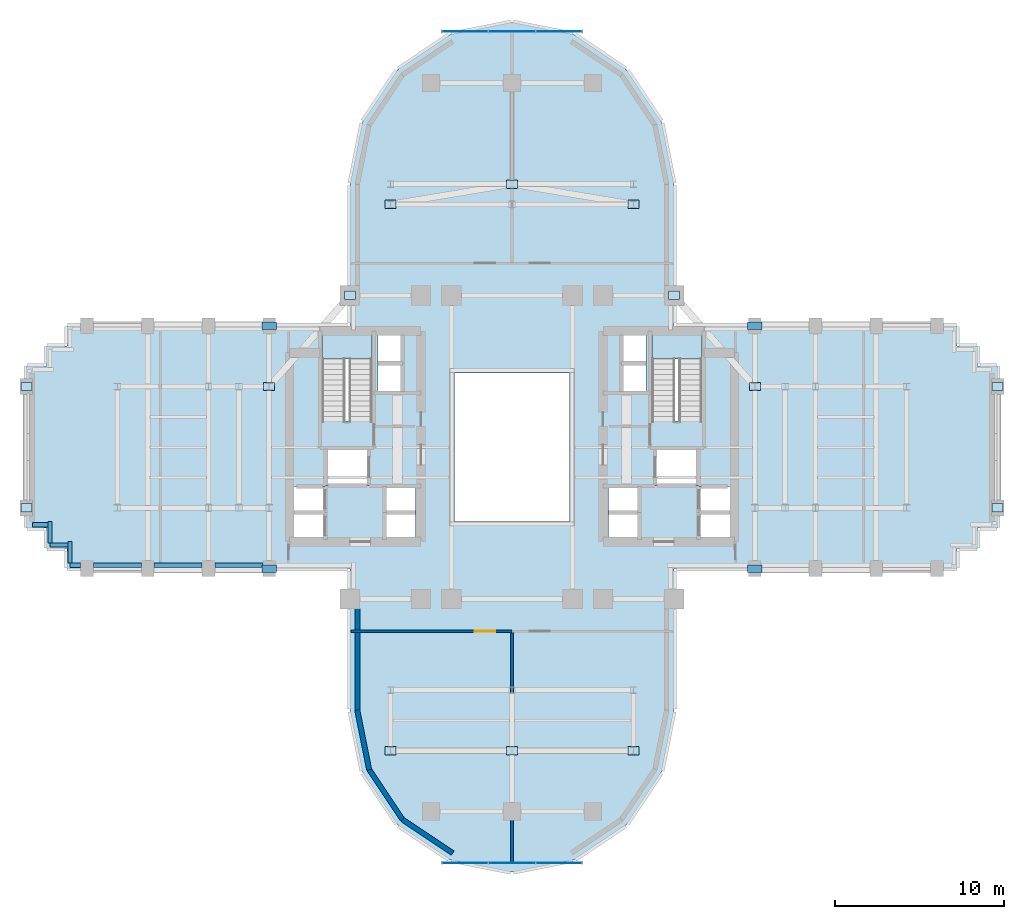
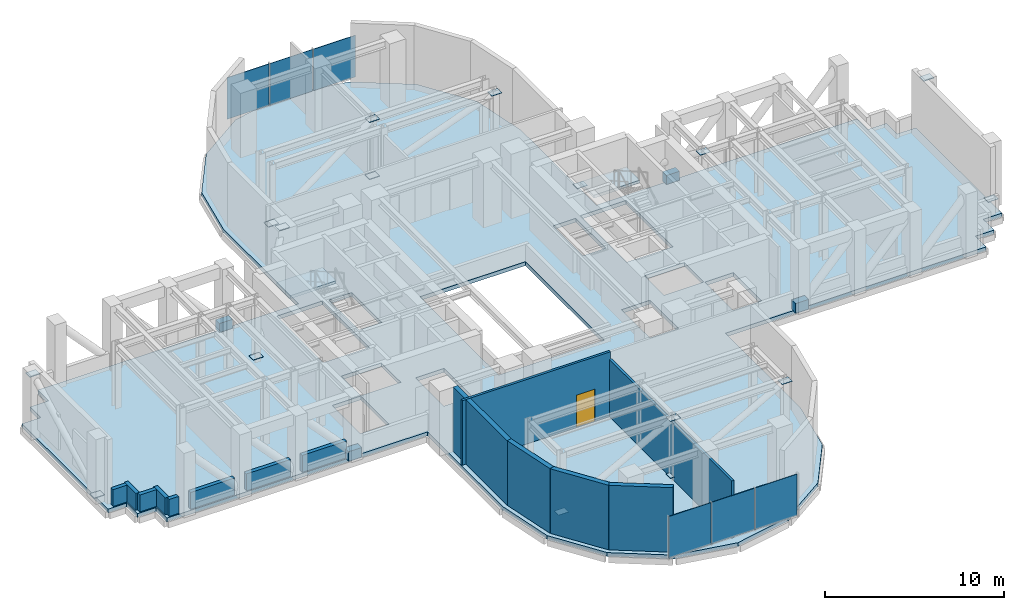
# One storey, part 8 of 15: 26 plates, 14 walls, 3 slabs, 1 door, 1 opening, 4 elements without a shape of their own.
"""IFC4 building model written with IfcOpenShell, lengths in metres."""

from ifc_helpers import new_model, si_unit, direction, frame, frame_2d, origin, origin_2d, place, context, subcontext, project, spatial, polyline, rectangle, outline, extrude, source, transform, mapped, material, layer, layer_set, type_object, element, fill, aggregate, save


model = new_model("IFC4")

# Units and contexts
model_context = context("Model", 3, precision=1e-05, world=origin(), true_north=direction((0.0, 1.0)))
body_context = subcontext(model_context, "Body", "Model", "MODEL_VIEW")
ifc_project = project(units=[si_unit("LENGTHUNIT", "METRE"), si_unit("AREAUNIT", "SQUARE_METRE"), si_unit("VOLUMEUNIT", "CUBIC_METRE"), si_unit("PLANEANGLEUNIT", "RADIAN"), si_unit("MASSUNIT", "GRAM", prefix="KILO")], contexts=[model_context])

# Site, building, storey
site_placement = place(None, origin())
site = spatial("IfcSite", under=ifc_project, at=site_placement, CompositionType="ELEMENT")
building_placement = place(site_placement, origin())
building = spatial("IfcBuilding", under=site, at=building_placement, Name="Keilestroom Media Tower", CompositionType="ELEMENT")
storey_placement = place(building_placement, frame((0.0, 0.0, 88.39990234375)))
storey = spatial("IfcBuildingStorey", under=building, at=storey_placement, Name="L23", CompositionType="ELEMENT", Elevation=88.39990234375)

# Slab
ifc_material_1 = material(Name="Concrete C50/60", Category="concrete")
ifc_layer_1 = layer(ifc_material_1, 0.260009765625)
ifc_layer_set_1 = layer_set([ifc_layer_1], Name="Concrete C50/60")
slab_type_1 = type_object("IfcSlabType", Name="Composite-Floor-Slab-260", PredefinedType="FLOOR", material=ifc_layer_set_1)
slab_1_placement = place(storey_placement, frame((0.0, 0.0, -0.260009765625)))
element("IfcSlab", 1, at=slab_1_placement, inside=storey, type_object=slab_type_1, Name="L23 Structural Composite Floor Slab", PredefinedType="FLOOR", context=body_context, shape_type="SweptSolid", body=[
    extrude(outline(polyline([(28.800048828125, -4.800048828125), (28.800048828125, 4.800048828125), (27.60009765625, 4.800048828125), (27.60009765625, 6.0), (26.39990234375, 6.0), (26.39990234375, 7.199951171875), (9.60009765625, 7.199951171875), (9.60009765625, 9.60009765625), (9.60009765625, 15.60009765625), (8.869140625, 19.273681640625), (6.7880859375, 22.38818359375), (3.673828125, 24.46923828125), (0.0, 25.199951171875), (-3.673828125, 24.46923828125), (-6.7880859375, 22.38818359375), (-8.869140625, 19.273681640625), (-9.60009765625, 15.60009765625), (-9.60009765625, 9.60009765625), (-9.60009765625, 7.199951171875), (-26.39990234375, 7.199951171875), (-26.39990234375, 6.0), (-27.60009765625, 6.0), (-27.60009765625, 4.800048828125), (-28.800048828125, 4.800048828125), (-28.800048828125, -4.800048828125), (-27.60009765625, -4.800048828125), (-27.60009765625, -6.0), (-26.39990234375, -6.0), (-26.39990234375, -7.199951171875), (-9.60009765625, -7.199951171875), (-9.60009765625, -9.60009765625), (-9.60009765625, -15.60009765625), (-8.869140625, -19.273681640625), (-6.7880859375, -22.38818359375), (-3.673828125, -24.46923828125), (0.0, -25.199951171875), (3.673828125, -24.46923828125), (6.7880859375, -22.38818359375), (8.869140625, -19.273681640625), (9.60009765625, -15.60009765625), (9.60009765625, -9.60009765625), (9.60009765625, -7.199951171875), (26.39990234375, -7.199951171875), (26.39990234375, -6.0), (27.60009765625, -6.0), (27.60009765625, -4.800048828125), (28.800048828125, -4.800048828125)]), holes=[polyline([(-12.919921875, -5.47998046875), (-12.919921875, -2.320068359375), (-11.080078125, -2.320068359375), (-11.080078125, -5.47998046875), (-12.919921875, -5.47998046875)]), polyline([(-11.260009765625, 1.544921875), (-11.260009765625, 6.760009765625), (-8.300048828125, 6.760009765625), (-8.300048828125, 1.544921875), (-11.260009765625, 1.544921875)]), polyline([(-11.050048828125, -2.280029296875), (-11.050048828125, -0.10009765625), (-8.47998046875, -0.10009765625), (-8.47998046875, -2.280029296875), (-11.050048828125, -2.280029296875)]), polyline([(-7.949951171875, 3.300048828125), (-7.949951171875, 6.64990234375), (-6.47998046875, 6.64990234375), (-6.47998046875, 3.300048828125), (-7.949951171875, 3.300048828125)]), polyline([(-7.56005859375, -5.47998046875), (-7.56005859375, -2.320068359375), (-5.719970703125, -2.320068359375), (-5.719970703125, -5.47998046875), (-7.56005859375, -5.47998046875)]), polyline([(-3.39990234375, -4.39990234375), (-3.39990234375, 4.39990234375), (3.39990234375, 4.39990234375), (3.39990234375, -4.39990234375), (-3.39990234375, -4.39990234375)]), polyline([(5.719970703125, -5.47998046875), (5.719970703125, -2.320068359375), (7.56005859375, -2.320068359375), (7.56005859375, -5.47998046875), (5.719970703125, -5.47998046875)]), polyline([(7.949951171875, 6.64990234375), (7.949951171875, 3.300048828125), (6.47998046875, 3.300048828125), (6.47998046875, 6.64990234375), (7.949951171875, 6.64990234375)]), polyline([(8.300048828125, 6.760009765625), (11.260009765625, 6.760009765625), (11.260009765625, 1.544921875), (8.300048828125, 1.544921875), (8.300048828125, 6.760009765625)]), polyline([(8.47998046875, -2.280029296875), (8.47998046875, -0.10009765625), (11.050048828125, -0.10009765625), (11.050048828125, -2.280029296875), (8.47998046875, -2.280029296875)]), polyline([(12.919921875, -5.47998046875), (11.080078125, -5.47998046875), (11.080078125, -2.320068359375), (12.919921875, -2.320068359375), (12.919921875, -5.47998046875)])]), origin(), (0.0, 0.0, 1.0), 0.260009765625),
])

# Stair, slab
ifc_material_2 = material(Name="Concrete C45/55", Category="concrete")
stair_type = type_object("IfcStairType", Name="Enclosed-Dog-Leg-Stair-ST-CORE", PredefinedType="HALF_TURN_STAIR", material=ifc_material_2)
stair_1_placement = place(storey_placement, origin())
stair_1 = element("IfcStair", 2, at=stair_1_placement, inside=storey, type_object=stair_type, Name="L23 West Core Escape Stair ST-1", PredefinedType="HALF_TURN_STAIR")
ifc_layer_2 = layer(ifc_material_2, 0.199951171875)
ifc_layer_set_2 = layer_set([ifc_layer_2], Name="Concrete C45/55")
slab_type_2 = type_object("IfcSlabType", Name="Stair-Intermediate-And-Top-Landing-Slab-200", PredefinedType="LANDING", material=ifc_layer_set_2)
slab_2_placement = place(storey_placement, frame((0.0, 0.0, 2.10009765625)))
slab_2 = element("IfcSlab", 3, at=slab_2_placement, type_object=slab_type_2, Name="ST-1 landing 1", PredefinedType="LANDING", context=body_context, shape_type="SweptSolid", body=[
    extrude(outline(polyline([(-8.300048828125, 5.243896484375), (-8.300048828125, 6.760009765625), (-11.260009765625, 6.760009765625), (-11.260009765625, 5.243896484375), (-8.300048828125, 5.243896484375)])), origin(), (0.0, 0.0, 1.0), 0.199951171875),
])
aggregate(stair_1, [slab_2])

stair_2_placement = place(storey_placement, origin())
stair_2 = element("IfcStair", 4, at=stair_2_placement, inside=storey, type_object=stair_type, Name="L23 East Core Escape Stair ST-2", PredefinedType="HALF_TURN_STAIR")
slab_3_placement = place(storey_placement, frame((0.0, 0.0, 2.10009765625)))
slab_3 = element("IfcSlab", 5, at=slab_3_placement, type_object=slab_type_2, Name="ST-2 landing 1", PredefinedType="LANDING", context=body_context, shape_type="SweptSolid", body=[
    extrude(outline(polyline([(11.260009765625, 5.243896484375), (11.260009765625, 6.760009765625), (8.300048828125, 6.760009765625), (8.300048828125, 5.243896484375), (11.260009765625, 5.243896484375)])), origin(), (0.0, 0.0, 1.0), 0.199951171875),
])
aggregate(stair_2, [slab_3])

# Plates
ifc_material_3 = material(Name="Steel S460", Category="steel")
ifc_layer_3 = layer(ifc_material_3, 0.64990234375)
ifc_layer_set_3 = layer_set([ifc_layer_3], Name="Steel S460")
plate_type_1 = type_object("IfcPlateType", Name="Structural-Gusset-And-Cap-Plate-ND-03", PredefinedType="SHEET", material=ifc_layer_set_3)
shared_shape_1 = source(origin(), body_context, "Body", "SweptSolid", [
    extrude(rectangle(XDim=0.85009765625, YDim=0.449951171875, at=origin_2d()), origin(), (0.0, 0.0, 1.0), 0.64990234375),
])
for number, where, z_axis, x_axis, name in (
    (6, (-14.39990234375, -7.199951171875, -0.044921875), (0.0, 0.0, 1.0), (1.0, 0.0, 0.0), "L23 Outrigger Gusset ND-03 WS"),
    (7, (-14.39990234375, 7.199951171875, -0.044921875), (0.0, 0.0, 1.0), (1.0, 0.0, 0.0), "L23 Outrigger Gusset ND-03 WN"),
    (8, (14.39990234375, -7.199951171875, -0.044921875), (0.0, 0.0, 1.0), (1.0, 0.0, 0.0), "L23 Outrigger Gusset ND-03 ES"),
    (9, (14.39990234375, 7.199951171875, -0.044921875), (0.0, 0.0, 1.0), (1.0, 0.0, 0.0), "L23 Outrigger Gusset ND-03 EN"),
):
    element("IfcPlate", number, at=place(storey_placement, frame(where, z_axis=z_axis, x_axis=x_axis)), inside=storey, type_object=plate_type_1, Name=name, PredefinedType="SHEET", context=body_context, shape_type="MappedRepresentation", body=[
        mapped(shared_shape_1, transform((0.0, 0.0, 0.0), x_axis=(1.0, 0.0, 0.0), y_axis=(0.0, 1.0, 0.0), z_axis=(0.0, 0.0, 1.0), scale=1.0)),
    ])
ifc_layer_4 = layer(ifc_material_3, 0.02490234375)
ifc_layer_set_4 = layer_set([ifc_layer_4], Name="Steel S460")
plate_type_2 = type_object("IfcPlateType", Name="Structural-Gusset-And-Cap-Plate-ND-04", PredefinedType="SHEET", material=ifc_layer_set_4)
shared_shape_2 = source(origin(), body_context, "Body", "SweptSolid", [
    extrude(rectangle(XDim=0.659912109375, YDim=0.5, at=origin_2d()), origin(), (0.0, 0.0, 1.0), 0.02490234375),
])
for number, where, z_axis, x_axis, name in (
    (10, (-28.800048828125, -3.60009765625, 0.267578125), (0.0, 0.0, 1.0), (1.0, 0.0, 0.0), "L23 Belt Truss Lower End Cap ND-04 BW1"),
    (11, (-28.800048828125, 3.60009765625, 4.1376953125), (0.0, 0.0, 1.0), (1.0, 0.0, 0.0), "L23 Belt Truss Upper End Cap ND-04 BW1"),
    (12, (28.800048828125, -3.60009765625, 0.267578125), (0.0, 0.0, 1.0), (1.0, 0.0, 0.0), "L23 Belt Truss Lower End Cap ND-04 BE1"),
    (13, (28.800048828125, 3.60009765625, 4.1376953125), (0.0, 0.0, 1.0), (1.0, 0.0, 0.0), "L23 Belt Truss Upper End Cap ND-04 BE1"),
    (14, (-7.199951171875, 14.39990234375, 0.267578125), (0.0, 0.0, 1.0), (1.0, 0.0, 0.0), "L23 Belt Truss Lower End Cap ND-04 BN1"),
    (15, (0.0, 15.60009765625, 4.1376953125), (0.0, 0.0, 1.0), (1.0, 0.0, 0.0), "L23 Belt Truss Upper End Cap ND-04 BN1"),
    (16, (0.0, 15.60009765625, 0.267578125), (0.0, 0.0, 1.0), (1.0, 0.0, 0.0), "L23 Belt Truss Lower End Cap ND-04 BN2"),
    (17, (7.199951171875, 14.39990234375, 4.1376953125), (0.0, 0.0, 1.0), (1.0, 0.0, 0.0), "L23 Belt Truss Upper End Cap ND-04 BN2"),
    (18, (-7.199951171875, -18.0, 0.267578125), (0.0, 0.0, 1.0), (1.0, 0.0, 0.0), "L23 Belt Truss Lower End Cap ND-04 BS1"),
    (19, (0.0, -18.0, 4.1376953125), (0.0, 0.0, 1.0), (1.0, 0.0, 0.0), "L23 Belt Truss Upper End Cap ND-04 BS1"),
    (20, (0.0, -18.0, 0.267578125), (0.0, 0.0, 1.0), (1.0, 0.0, 0.0), "L23 Belt Truss Lower End Cap ND-04 BS2"),
    (21, (7.199951171875, -18.0, 4.1376953125), (0.0, 0.0, 1.0), (1.0, 0.0, 0.0), "L23 Belt Truss Upper End Cap ND-04 BS2"),
    (22, (-14.39990234375, 3.60009765625, 0.267578125), (0.0, 0.0, 1.0), (1.0, 0.0, 0.0), "L23 Belt Truss Lower End Cap ND-04 BWN"),
    (23, (-9.60009765625, 9.0, 4.1376953125), (0.0, 0.0, 1.0), (1.0, 0.0, 0.0), "L23 Belt Truss Upper End Cap ND-04 BWN"),
    (24, (9.60009765625, 9.0, 0.267578125), (0.0, 0.0, 1.0), (1.0, 0.0, 0.0), "L23 Belt Truss Lower End Cap ND-04 BEN"),
    (25, (14.39990234375, 3.60009765625, 4.1376953125), (0.0, 0.0, 1.0), (1.0, 0.0, 0.0), "L23 Belt Truss Upper End Cap ND-04 BEN"),
):
    element("IfcPlate", number, at=place(storey_placement, frame(where, z_axis=z_axis, x_axis=x_axis)), inside=storey, type_object=plate_type_2, Name=name, PredefinedType="SHEET", context=body_context, shape_type="MappedRepresentation", body=[
        mapped(shared_shape_2, transform((0.0, 0.0, 0.0), x_axis=(1.0, 0.0, 0.0), y_axis=(0.0, 1.0, 0.0), z_axis=(0.0, 0.0, 1.0), scale=1.0)),
    ])

# Curtain wall, plates
ifc_material_4 = material(Name="Anodised Aluminium Alloy", Category="aluminium")
curtain_wall_type = type_object("IfcCurtainWallType", Name="Unitised-Curtain-Wall-CW-6", PredefinedType="NOTDEFINED", material=ifc_material_4)
curtain_wall_1_placement = place(storey_placement, origin())
curtain_wall_1 = element("IfcCurtainWall", 26, at=curtain_wall_1_placement, inside=storey, type_object=curtain_wall_type, Name="L23 Curtain Wall CW-6 CW-L23-N", PredefinedType="NOTDEFINED")
ifc_material_5 = material(Name="Curved-Facet Triple Glazed Unit", Category="glass")
ifc_layer_5 = layer(ifc_material_5, 0.033935546875)
ifc_layer_set_5 = layer_set([ifc_layer_5], Name="Curved-Facet Triple Glazed Unit")
plate_type_3 = type_object("IfcPlateType", Name="Insulated-Curtain-Wall-Glazing-Panel-CW-6", PredefinedType="CURTAIN_PANEL", material=ifc_layer_set_5)
shared_shape_3 = source(origin(), body_context, "Body", "SweptSolid", [
    extrude(rectangle(XDim=2.71044921875, YDim=0.033935546875, at=origin_2d()), origin(), (0.0, 0.0, 1.0), 2.833984375),
])
plate_1_placement = place(storey_placement, frame((-2.78369140625, 24.64990234375, 0.072998046875), z_axis=(0.0, 0.0, 1.0), x_axis=(1.0, 0.0, 0.0)))
plate_1 = element("IfcPlate", 27, at=plate_1_placement, type_object=plate_type_3, Name="CW-6 Unitised Glazing 00", PredefinedType="CURTAIN_PANEL", context=body_context, shape_type="MappedRepresentation", body=[
    mapped(shared_shape_3, transform((0.0, 0.0, 0.0), x_axis=(1.0, 0.0, 0.0), y_axis=(0.0, 1.0, 0.0), z_axis=(0.0, 0.0, 1.0), scale=1.0)),
])
plate_2_placement = place(storey_placement, frame((2.78369140625, 24.64990234375, 0.072998046875), z_axis=(0.0, 0.0, 1.0), x_axis=(1.0, 0.0, 0.0)))
plate_2 = element("IfcPlate", 28, at=plate_2_placement, type_object=plate_type_3, Name="CW-6 Unitised Glazing 02", PredefinedType="CURTAIN_PANEL", context=body_context, shape_type="MappedRepresentation", body=[
    mapped(shared_shape_3, transform((0.0, 0.0, 0.0), x_axis=(1.0, 0.0, 0.0), y_axis=(0.0, 1.0, 0.0), z_axis=(0.0, 0.0, 1.0), scale=1.0)),
])

curtain_wall_2_placement = place(storey_placement, origin())
curtain_wall_2 = element("IfcCurtainWall", 29, at=curtain_wall_2_placement, inside=storey, type_object=curtain_wall_type, Name="L23 Curtain Wall CW-6 CW-L23-S", PredefinedType="NOTDEFINED")
plate_3_placement = place(storey_placement, frame((-2.78369140625, -24.64990234375, 0.072998046875), z_axis=(0.0, 0.0, 1.0), x_axis=(1.0, 0.0, 0.0)))
plate_3 = element("IfcPlate", 30, at=plate_3_placement, type_object=plate_type_3, Name="CW-6 Unitised Glazing 00", PredefinedType="CURTAIN_PANEL", context=body_context, shape_type="MappedRepresentation", body=[
    mapped(shared_shape_3, transform((0.0, 0.0, 0.0), x_axis=(1.0, 0.0, 0.0), y_axis=(0.0, 1.0, 0.0), z_axis=(0.0, 0.0, 1.0), scale=1.0)),
])
plate_4_placement = place(storey_placement, frame((2.78369140625, -24.64990234375, 0.072998046875), z_axis=(0.0, 0.0, 1.0), x_axis=(1.0, 0.0, 0.0)))
plate_4 = element("IfcPlate", 31, at=plate_4_placement, type_object=plate_type_3, Name="CW-6 Unitised Glazing 02", PredefinedType="CURTAIN_PANEL", context=body_context, shape_type="MappedRepresentation", body=[
    mapped(shared_shape_3, transform((0.0, 0.0, 0.0), x_axis=(1.0, 0.0, 0.0), y_axis=(0.0, 1.0, 0.0), z_axis=(0.0, 0.0, 1.0), scale=1.0)),
])

# Plate
shared_shape_4 = source(origin(), body_context, "Body", "SweptSolid", [
    extrude(rectangle(XDim=2.742919921875, YDim=0.033935546875, at=origin_2d()), origin(), (0.0, 0.0, 1.0), 2.833984375),
])
plate_5_placement = place(storey_placement, frame((0.0, 24.64990234375, 0.072998046875), z_axis=(0.0, 0.0, 1.0), x_axis=(1.0, 0.0, 0.0)))
plate_5 = element("IfcPlate", 32, at=plate_5_placement, type_object=plate_type_3, Name="CW-6 Unitised Glazing 01", PredefinedType="CURTAIN_PANEL", context=body_context, shape_type="MappedRepresentation", body=[
    mapped(shared_shape_4, transform((0.0, 0.0, 0.0), x_axis=(1.0, 0.0, 0.0), y_axis=(0.0, 1.0, 0.0), z_axis=(0.0, 0.0, 1.0), scale=1.0)),
])

aggregate(curtain_wall_1, [plate_1, plate_5, plate_2])

plate_6_placement = place(storey_placement, frame((0.0, -24.64990234375, 0.072998046875), z_axis=(0.0, 0.0, 1.0), x_axis=(1.0, 0.0, 0.0)))
plate_6 = element("IfcPlate", 33, at=plate_6_placement, type_object=plate_type_3, Name="CW-6 Unitised Glazing 01", PredefinedType="CURTAIN_PANEL", context=body_context, shape_type="MappedRepresentation", body=[
    mapped(shared_shape_4, transform((0.0, 0.0, 0.0), x_axis=(1.0, 0.0, 0.0), y_axis=(0.0, 1.0, 0.0), z_axis=(0.0, 0.0, 1.0), scale=1.0)),
])

aggregate(curtain_wall_2, [plate_3, plate_6, plate_4])

# Walls
ifc_material_6 = material(Name="Precast concrete C40/50", Category="concrete")
ifc_layer_6 = layer(ifc_material_6, 0.300048828125)
ifc_layer_set_6 = layer_set([ifc_layer_6], Name="Precast concrete C40/50")
wall_type_1 = type_object("IfcWallType", Name="Exterior-Masonry-Spandrel-Wall-300", PredefinedType="SOLIDWALL", material=ifc_layer_set_6)
wall_1_placement = place(storey_placement, frame((-9.171875, -9.568115234375, 0.0), z_axis=(0.0, 0.0, 1.0), x_axis=(0.0, -1.0, 0.0)))
element("IfcWall", 34, at=wall_1_placement, inside=storey, type_object=wall_type_1, Name="L23 Plant Lobe Masonry Wall 09", PredefinedType="SOLIDWALL", context=body_context, shape_type="SweptSolid", body=[
    extrude(rectangle(XDim=6.061767578125, YDim=0.300048828125, at=frame_2d((3.03076171875, 0.0))), origin(), (0.0, 0.0, 1.0), 4.400146484375),
])
for number, where, z_axis, x_axis, name in (
    (35, (-9.1748046875, -15.585205078125, 0.0), (0.0, 0.0, 1.0), (0.195114232679, -0.980780523974, 0.0), "L23 Plant Lobe Masonry Wall 10"),
    (36, (-8.48193359375, -19.097412109375, 0.0), (0.0, 0.0, 1.0), (0.555574187116, -0.831466970246, 0.0), "L23 Plant Lobe Masonry Wall 11"),
):
    element("IfcWall", number, at=place(storey_placement, frame(where, z_axis=z_axis, x_axis=x_axis)), inside=storey, type_object=wall_type_1, Name=name, PredefinedType="SOLIDWALL", context=body_context, shape_type="SweptSolid", body=[
        extrude(rectangle(XDim=3.608642578125, YDim=0.300048828125, at=frame_2d((1.80419921875, 0.0))), origin(), (0.0, 0.0, 1.0), 4.400146484375),
    ])
wall_2_placement = place(storey_placement, frame((-6.497802734375, -22.0771484375, 0.0), z_axis=(0.0, 0.0, 1.0), x_axis=(0.8314749531, -0.555562239868, 0.0)))
element("IfcWall", 37, at=wall_2_placement, inside=storey, type_object=wall_type_1, Name="L23 Plant Lobe Masonry Wall 12", PredefinedType="SOLIDWALL", context=body_context, shape_type="SweptSolid", body=[
    extrude(rectangle(XDim=3.59326171875, YDim=0.300048828125, at=frame_2d((1.796630859375, 0.0))), origin(), (0.0, 0.0, 1.0), 4.400146484375),
])

# Wall, opening, door
ifc_material_7 = material(Name="Gypsum Plasterboard & Steel Stud", Category="steel")
ifc_layer_7 = layer(ifc_material_7, 0.14990234375)
ifc_layer_set_7 = layer_set([ifc_layer_7], Name="Gypsum Plasterboard & Steel Stud")
wall_type_2 = type_object("IfcWallType", Name="Interior-Partition-Wall-150", PredefinedType="PARTITIONING", material=ifc_layer_set_7)
wall_3_placement = place(storey_placement, frame((-9.550048828125, -10.919921875, 0.0), z_axis=(0.0, 0.0, 1.0), x_axis=(1.0, 0.0, 0.0)))
wall_3 = element("IfcWall", 38, at=wall_3_placement, inside=storey, type_object=wall_type_2, Name="L23 Interior Wall WP-L23-PL-PUMPS-N", PredefinedType="PARTITIONING", context=body_context, shape_type="SweptSolid", body=[
    extrude(rectangle(XDim=9.550048828125, YDim=0.14990234375, at=frame_2d((4.77490234375, 0.0))), origin(), (0.0, 0.0, 1.0), 4.400146484375),
])
opening_placement = place(wall_3_placement, frame((7.35009765625, 0.0, 0.0)))
opening = element("IfcOpeningElement", 39, at=opening_placement, cuts=wall_3, Name="Opening DI-02", PredefinedType="OPENING", context=body_context, shape_type="SweptSolid", body=[
    extrude(rectangle(XDim=1.199951171875, YDim=2.199951171875, at=frame_2d((0.60009765625, 1.10009765625))), frame((0.0, 0.0849609375, 0.0), z_axis=(0.0, -1.0, 0.0), x_axis=(1.0, 0.0, 0.0)), (0.0, 0.0, 1.0), 0.169921875),
])
ifc_material_8 = material(Name="Powder-Coated Steel Fire Leaf", Category="steel")
door_type = type_object("IfcDoorType", Name="Interior-Compartment-Fire-Door-DI-02", OperationType="NOTDEFINED", PredefinedType="DOOR", material=ifc_material_8)
shared_shape_5 = source(origin(), body_context, "Body", "SweptSolid", [
    extrude(rectangle(XDim=1.199951171875, YDim=2.199951171875, at=frame_2d((0.60009765625, 1.10009765625))), frame((0.0, 0.02490234375, 0.0), z_axis=(0.0, -1.0, 0.0), x_axis=(1.0, 0.0, 0.0)), (0.0, 0.0, 1.0), 0.050048828125),
])
door_placement = place(opening_placement, origin())
door = element("IfcDoor", 40, at=door_placement, inside=storey, type_object=door_type, Name="L23 Interior Door DI-L23-PL-PUMPS-D", OperationType="SINGLE_SWING_RIGHT", OverallHeight=2.199951171875, OverallWidth=1.199951171875, PredefinedType="DOOR", context=body_context, shape_type="MappedRepresentation", body=[
    mapped(shared_shape_5, transform((0.0, 0.0, 0.0), x_axis=(1.0, 0.0, 0.0), y_axis=(0.0, 1.0, 0.0), z_axis=(0.0, 0.0, 1.0), scale=1.0)),
])
fill(opening, door)

# Walls
wall_4_placement = place(storey_placement, frame((0.0, -24.64990234375, 0.0), z_axis=(0.0, 0.0, 1.0), x_axis=(0.0, 1.0, 0.0)))
element("IfcWall", 41, at=wall_4_placement, inside=storey, type_object=wall_type_2, Name="L23 Interior Wall WP-L23-PL-PUMPS-M", PredefinedType="PARTITIONING", context=body_context, shape_type="SweptSolid", body=[
    extrude(rectangle(XDim=13.72998046875, YDim=0.14990234375, at=frame_2d((6.864990234375, 0.0))), origin(), (0.0, 0.0, 1.0), 3.900146484375),
])
ifc_layer_8 = layer(ifc_material_6, 0.239990234375)
ifc_layer_set_8 = layer_set([ifc_layer_8], Name="Precast concrete C40/50")
wall_type_3 = type_object("IfcWallType", Name="Roof-And-Terrace-Parapet-Wall-240", PredefinedType="PARAPET", material=ifc_layer_set_8)
for number, where, z_axis, x_axis, name in (
    (42, (-14.778076171875, -7.0, 0.0), (0.0, 0.0, 1.0), (-1.0, 0.0, 0.0), "L23 Perimeter Edge Parapet Wall 13"),
    (43, (-18.3779296875, -7.0, 0.0), (0.0, 0.0, 1.0), (-1.0, 0.0, 0.0), "L23 Perimeter Edge Parapet Wall 14"),
    (44, (-21.97802734375, -7.0, 0.0), (0.0, 0.0, 1.0), (-1.0, 0.0, 0.0), "L23 Perimeter Edge Parapet Wall 15"),
):
    element("IfcWall", number, at=place(storey_placement, frame(where, z_axis=z_axis, x_axis=x_axis)), inside=storey, type_object=wall_type_3, Name=name, PredefinedType="PARAPET", context=body_context, shape_type="SweptSolid", body=[
        extrude(rectangle(XDim=2.843994140625, YDim=0.239990234375, at=frame_2d((1.421875, 0.0))), origin(), (0.0, 0.0, 1.0), 1.150146484375),
    ])
wall_5_placement = place(storey_placement, frame((-25.577880859375, -7.0, 0.0), z_axis=(0.0, 0.0, 1.0), x_axis=(-1.0, 0.0, 0.0)))
element("IfcWall", 45, at=wall_5_placement, inside=storey, type_object=wall_type_3, Name="L23 Perimeter Edge Parapet Wall 16", PredefinedType="PARAPET", context=body_context, shape_type="SweptSolid", body=[
    extrude(rectangle(XDim=0.6220703125, YDim=0.239990234375, at=frame_2d((0.31103515625, 0.0))), origin(), (0.0, 0.0, 1.0), 1.150146484375),
])
wall_6_placement = place(storey_placement, frame((-26.199951171875, -6.876953125, 0.0), z_axis=(0.0, 0.0, 1.0), x_axis=(0.0, 1.0, 0.0)))
element("IfcWall", 46, at=wall_6_placement, inside=storey, type_object=wall_type_3, Name="L23 Perimeter Edge Parapet Wall 17", PredefinedType="PARAPET", context=body_context, shape_type="SweptSolid", body=[
    extrude(rectangle(XDim=1.27685546875, YDim=0.239990234375, at=frame_2d((0.638427734375, 0.0))), origin(), (0.0, 0.0, 1.0), 1.150146484375),
])
wall_7_placement = place(storey_placement, frame((-26.322998046875, -5.800048828125, 0.0), z_axis=(0.0, 0.0, 1.0), x_axis=(-1.0, 0.0, 0.0)))
element("IfcWall", 47, at=wall_7_placement, inside=storey, type_object=wall_type_3, Name="L23 Perimeter Edge Parapet Wall 18", PredefinedType="PARAPET", context=body_context, shape_type="SweptSolid", body=[
    extrude(rectangle(XDim=1.076904296875, YDim=0.239990234375, at=frame_2d((0.53857421875, 0.0))), origin(), (0.0, 0.0, 1.0), 1.150146484375),
])
wall_8_placement = place(storey_placement, frame((-27.39990234375, -5.677001953125, 0.0), z_axis=(0.0, 0.0, 1.0), x_axis=(0.0, 1.0, 0.0)))
element("IfcWall", 48, at=wall_8_placement, inside=storey, type_object=wall_type_3, Name="L23 Perimeter Edge Parapet Wall 19", PredefinedType="PARAPET", context=body_context, shape_type="SweptSolid", body=[
    extrude(rectangle(XDim=1.277099609375, YDim=0.239990234375, at=frame_2d((0.638671875, 0.0))), origin(), (0.0, 0.0, 1.0), 1.150146484375),
])
wall_9_placement = place(storey_placement, frame((-27.52294921875, -4.60009765625, 0.0), z_axis=(0.0, 0.0, 1.0), x_axis=(-1.0, 0.0, 0.0)))
element("IfcWall", 49, at=wall_9_placement, inside=storey, type_object=wall_type_3, Name="L23 Perimeter Edge Parapet Wall 20", PredefinedType="PARAPET", context=body_context, shape_type="SweptSolid", body=[
    extrude(rectangle(XDim=0.906005859375, YDim=0.239990234375, at=frame_2d((0.453125, 0.0))), origin(), (0.0, 0.0, 1.0), 1.150146484375),
])

save(model, "model.ifc")
